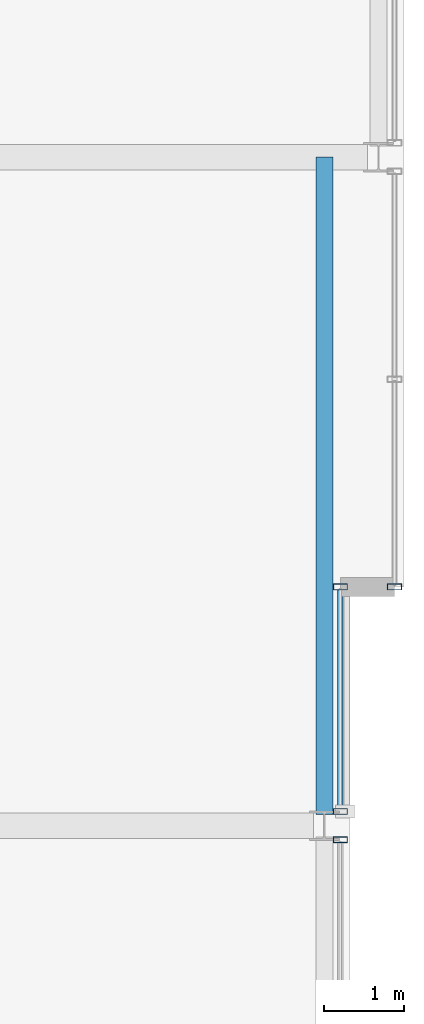
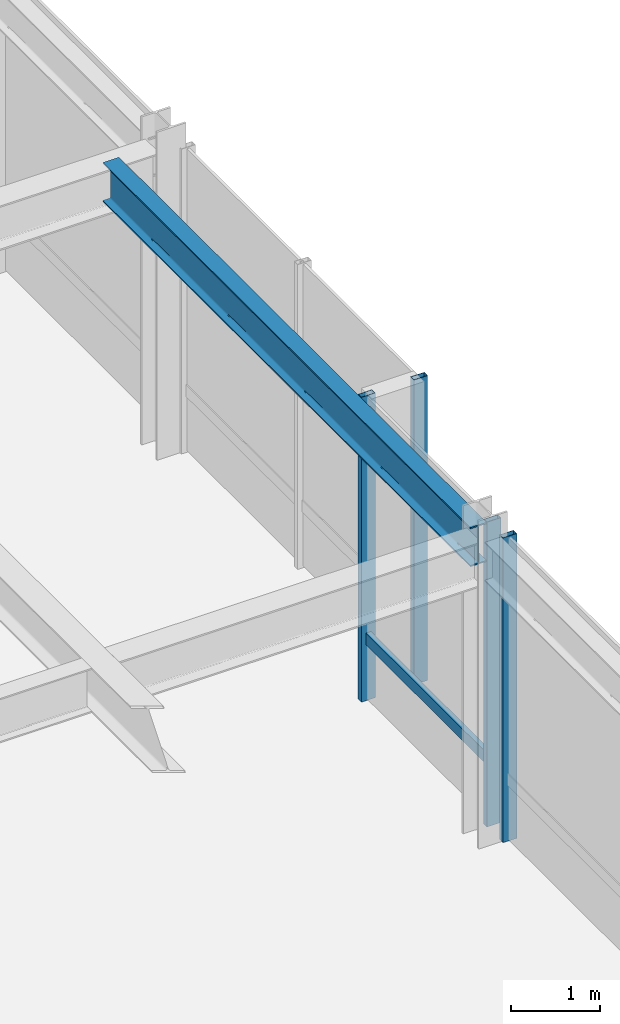
# One storey, part 17 of 32: 5 members, 1 beam, 3 elements without a shape of their own.
"""IFC4 building model written with IfcOpenShell, lengths in metres."""

from ifc_helpers import new_model, si_unit, direction, frame, origin, origin_2d, place, context, subcontext, project, spatial, hollow_rectangle, i_section, extrude, material, layer, layer_set, material_profile, profile_set, type_object, element, aggregate, save


model = new_model("IFC4")

# Units and contexts
model_context = context("Model", 3, precision=1e-05, world=origin(), true_north=direction((0.0, 1.0)))
body_context = subcontext(model_context, "Body", "Model", "MODEL_VIEW")
ifc_project = project(units=[si_unit("LENGTHUNIT", "METRE"), si_unit("AREAUNIT", "SQUARE_METRE"), si_unit("VOLUMEUNIT", "CUBIC_METRE"), si_unit("PLANEANGLEUNIT", "RADIAN"), si_unit("MASSUNIT", "GRAM", prefix="KILO")], contexts=[model_context])

# Site, building, storey
site_placement = place(None, origin())
site = spatial("IfcSite", under=ifc_project, at=site_placement, CompositionType="ELEMENT")
building_placement = place(site_placement, origin())
building = spatial("IfcBuilding", under=site, at=building_placement, Name="Drelvath Grand Hotel", CompositionType="ELEMENT")
storey_placement = place(building_placement, frame((0.0, 0.0, 255.5)))
storey = spatial("IfcBuildingStorey", under=building, at=storey_placement, Name="L67", CompositionType="ELEMENT", Elevation=255.5)

# Curtain wall, member
ifc_material_1 = material(Name="Platinum-Mist Anodised Aluminium Frame", Category="aluminium")
ifc_layer = layer(ifc_material_1, 0.199951171875)
ifc_layer_set = layer_set([ifc_layer], Name="Platinum-Mist Anodised Aluminium Frame")
curtain_wall_type = type_object("IfcCurtainWallType", Name="Stick Curtain Wall CW-05 Platinum Mist High-Rise", PredefinedType="NOTDEFINED", material=ifc_layer_set)
curtain_wall_1_placement = place(storey_placement, origin())
curtain_wall_1 = element("IfcCurtainWall", 1, at=curtain_wall_1_placement, inside=storey, type_object=curtain_wall_type, Name="L67 CW-05 Curtain Wall CW05-L67-EM2", PredefinedType="NOTDEFINED")
ifc_material_profile_1 = material_profile(ifc_material_1, hollow_rectangle(XDim=0.06494140625, YDim=0.159912109375, WallThickness=0.00390625, at=origin_2d()), Name="HSS160X65X4")
ifc_profile_set_1 = profile_set([ifc_material_profile_1], Name="Platinum-Mist Anodised Aluminium Frame")
member_type_1 = type_object("IfcMemberType", Name="Curtain Wall Horizontal Transom CW-05 HSS160X65X4", PredefinedType="USERDEFINED", material=ifc_profile_set_1)
member_1_placement = place(storey_placement, frame((21.39990234375, 29.9599609375, 0.85009765625), z_axis=(0.0, -1.0, 0.0), x_axis=(1.0, 0.0, 0.0)))
member_1 = element("IfcMember", 2, at=member_1_placement, type_object=member_type_1, Name="CW05-L67-EM2 Sill Transom", ObjectType="TRANSOM", PredefinedType="USERDEFINED", context=body_context, shape_type="SweptSolid", body=[
    extrude(hollow_rectangle(XDim=0.06494140625, YDim=0.159912109375, WallThickness=0.00390625, at=origin_2d()), origin(), (0.0, 0.0, 1.0), 2.74169921875),
])

curtain_wall_2_placement = place(storey_placement, origin())
curtain_wall_2 = element("IfcCurtainWall", 3, at=curtain_wall_2_placement, inside=storey, type_object=curtain_wall_type, Name="L67 CW-05 Curtain Wall CW05-L67-EN1", PredefinedType="NOTDEFINED")
ifc_material_profile_2 = material_profile(ifc_material_1, hollow_rectangle(XDim=0.074951171875, YDim=0.179931640625, WallThickness=0.0048828125, at=origin_2d()), Name="HSS180X75X5")
ifc_profile_set_2 = profile_set([ifc_material_profile_2], Name="Platinum-Mist Anodised Aluminium Frame")
member_type_2 = type_object("IfcMemberType", Name="Curtain Wall Vertical Mullion CW-05 HSS180X75X5", PredefinedType="MULLION", material=ifc_profile_set_2)
member_2_placement = place(storey_placement, frame((22.080078125, 30.0, 0.0), z_axis=(0.0, 0.0, 1.0), x_axis=(0.0, 1.0, 0.0)))
member_2 = element("IfcMember", 4, at=member_2_placement, type_object=member_type_2, Name="CW05-L67-EN1 Mullion 3", PredefinedType="MULLION", context=body_context, shape_type="SweptSolid", body=[
    extrude(hollow_rectangle(XDim=0.074951171875, YDim=0.179931640625, WallThickness=0.0048828125, at=origin_2d()), origin(), (0.0, 0.0, 1.0), 4.179931640625),
])
aggregate(curtain_wall_2, [member_2])

curtain_wall_3_placement = place(storey_placement, origin())
curtain_wall_3 = element("IfcCurtainWall", 5, at=curtain_wall_3_placement, inside=storey, type_object=curtain_wall_type, Name="L67 CW-05 Curtain Wall CW05-L67-EM1", PredefinedType="NOTDEFINED")
member_3_placement = place(storey_placement, frame((21.39990234375, 26.82177734375, 0.0), z_axis=(0.0, 0.0, 1.0), x_axis=(0.0, 1.0, 0.0)))
member_3 = element("IfcMember", 6, at=member_3_placement, type_object=member_type_2, Name="CW05-L67-EM1 Mullion 1", PredefinedType="MULLION", context=body_context, shape_type="SweptSolid", body=[
    extrude(hollow_rectangle(XDim=0.074951171875, YDim=0.179931640625, WallThickness=0.0048828125, at=origin_2d()), origin(), (0.0, 0.0, 1.0), 4.179931640625),
])
aggregate(curtain_wall_3, [member_3])

# Member
member_4_placement = place(storey_placement, frame((21.39990234375, 30.0, 0.0), z_axis=(0.0, 0.0, 1.0), x_axis=(0.0, 1.0, 0.0)))
member_4 = element("IfcMember", 7, at=member_4_placement, type_object=member_type_2, Name="CW05-L67-EM2 Mullion 1", PredefinedType="MULLION", context=body_context, shape_type="SweptSolid", body=[
    extrude(hollow_rectangle(XDim=0.074951171875, YDim=0.179931640625, WallThickness=0.0048828125, at=origin_2d()), origin(), (0.0, 0.0, 1.0), 4.179931640625),
])

member_5_placement = place(storey_placement, frame((21.39990234375, 27.17822265625, 0.0), z_axis=(0.0, 0.0, 1.0), x_axis=(0.0, 1.0, 0.0)))
member_5 = element("IfcMember", 8, at=member_5_placement, type_object=member_type_2, Name="CW05-L67-EM2 Mullion 2", PredefinedType="MULLION", context=body_context, shape_type="SweptSolid", body=[
    extrude(hollow_rectangle(XDim=0.074951171875, YDim=0.179931640625, WallThickness=0.0048828125, at=origin_2d()), origin(), (0.0, 0.0, 1.0), 4.179931640625),
])

aggregate(curtain_wall_1, [member_4, member_5, member_1])

# Beam
ifc_material_2 = material(Name="Steel ASTM A992 Gr 50", Category="steel")
ifc_material_profile_3 = material_profile(ifc_material_2, i_section(OverallWidth=0.210205078125, OverallDepth=0.53662109375, WebThickness=0.010986328125, FlangeThickness=0.017333984375, FilletRadius=0.01806640625, at=origin_2d()), Name="W21X68")
ifc_profile_set_3 = profile_set([ifc_material_profile_3], Name="Steel ASTM A992 Gr 50")
beam_type = type_object("IfcBeamType", Name="Perimeter Spandrel Beam W21X68", PredefinedType="SPANDREL", material=ifc_profile_set_3)
beam_placement = place(storey_placement, frame((21.199951171875, 27.139892578125, 3.91162109375), z_axis=(0.0, 1.0, 0.0), x_axis=(-1.0, 0.0, 0.0)))
element("IfcBeam", 9, at=beam_placement, inside=storey, type_object=beam_type, Name="L67 Spandrel East Mid N", PredefinedType="SPANDREL", context=body_context, shape_type="SweptSolid", body=[
    extrude(i_section(OverallWidth=0.210205078125, OverallDepth=0.53662109375, WebThickness=0.010986328125, FlangeThickness=0.017333984375, FilletRadius=0.01806640625, at=origin_2d()), origin(), (0.0, 0.0, 1.0), 8.260009765625),
])

save(model, "model.ifc")
